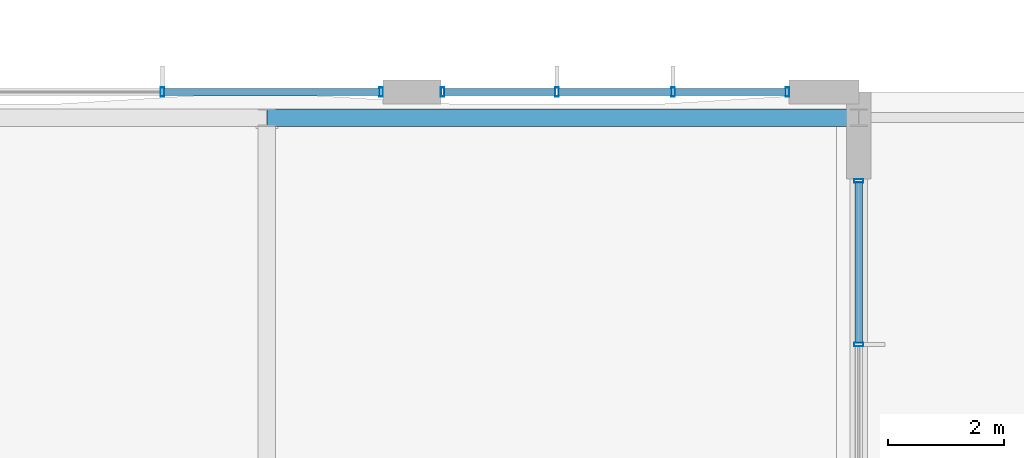
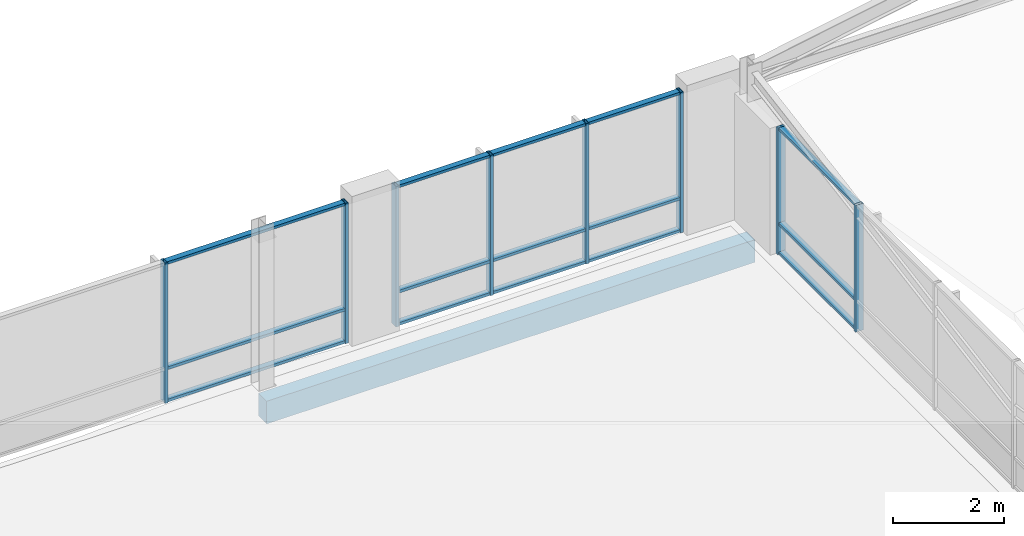
# One storey, part 98 of 189: 23 members, 1 beam, 3 elements without a shape of their own.
"""IFC4 building model written with IfcOpenShell, lengths in metres."""

from ifc_helpers import new_model, si_unit, direction, frame, origin, origin_2d, place, context, subcontext, project, spatial, rectangle, hollow_rectangle, extrude, material, material_profile, profile_set, type_object, element, aggregate, save


model = new_model("IFC4")

# Units and contexts
model_context = context("Model", 3, precision=1e-05, world=origin(), true_north=direction((0.0, 1.0)))
body_context = subcontext(model_context, "Body", "Model", "MODEL_VIEW")
ifc_project = project(units=[si_unit("LENGTHUNIT", "METRE"), si_unit("AREAUNIT", "SQUARE_METRE"), si_unit("VOLUMEUNIT", "CUBIC_METRE"), si_unit("PLANEANGLEUNIT", "RADIAN"), si_unit("MASSUNIT", "GRAM", prefix="KILO")], contexts=[model_context])

# Site, building, storey
site_placement = place(None, origin())
site = spatial("IfcSite", under=ifc_project, at=site_placement, CompositionType="ELEMENT")
building_placement = place(site_placement, origin())
building = spatial("IfcBuilding", under=site, at=building_placement, Name="Zavelmont Quarter", CompositionType="ELEMENT")
storey_placement = place(building_placement, frame((0.0, 0.0, 4.39990234375)))
storey = spatial("IfcBuildingStorey", under=building, at=storey_placement, Name="L01", CompositionType="ELEMENT", Elevation=4.39990234375)

# Beam
ifc_material_1 = material(Name="Concrete C35/45", Category="concrete")
ifc_material_profile_1 = material_profile(ifc_material_1, rectangle(XDim=0.300048828125, YDim=0.5, at=origin_2d()), Name="RC300X500")
ifc_profile_set_1 = profile_set([ifc_material_profile_1], Name="Concrete C35/45")
beam_type = type_object("IfcBeamType", Name="BM03", PredefinedType="BEAM", material=ifc_profile_set_1)
beam_placement = place(storey_placement, frame((65.800048828125, 115.56005859375, -0.52978515625), z_axis=(1.0, 0.0, 0.0), x_axis=(0.0, 1.0, 0.0)))
element("IfcBeam", 1, at=beam_placement, inside=storey, type_object=beam_type, Name="L01 beam BM03 10/S to 12/S", PredefinedType="BEAM", context=body_context, shape_type="SweptSolid", body=[
    extrude(rectangle(XDim=0.300048828125, YDim=0.5, at=origin_2d()), origin(), (0.0, 0.0, 1.0), 10.199951171875),
])

# Curtain wall, members
ifc_material_2 = material(Name="Thermally broken aluminium and double low-E safety glazing", Category="aluminium")
curtain_wall_type_1 = type_object("IfcCurtainWallType", Name="CW-1140X310", PredefinedType="NOTDEFINED", material=ifc_material_2)
curtain_wall_1_placement = place(storey_placement, origin())
curtain_wall_1 = element("IfcCurtainWall", 2, at=curtain_wall_1_placement, inside=storey, type_object=curtain_wall_type_1, Name="L01 unitised curtain wall CW-1140X310", PredefinedType="NOTDEFINED")
ifc_material_3 = material(Name="Powder-coated aluminium EN AW-6063-T6", Category="aluminium")
ifc_material_profile_2 = material_profile(ifc_material_3, hollow_rectangle(XDim=0.06005859375, YDim=0.159912109375, WallThickness=0.00390625, at=origin_2d()), Name="CWM60X160")
ifc_profile_set_2 = profile_set([ifc_material_profile_2], Name="Powder-coated aluminium EN AW-6063-T6")
member_type_1 = type_object("IfcMemberType", Name="CWM01", PredefinedType="MULLION", material=ifc_profile_set_2)
member_1_placement = place(storey_placement, frame((64.0, 116.0, 0.0), z_axis=(0.0, 0.0, 1.0), x_axis=(1.0, 0.0, 0.0)))
member_1 = element("IfcMember", 3, at=member_1_placement, type_object=member_type_1, Name="CW-1140X310 mullion 3", PredefinedType="MULLION", context=body_context, shape_type="SweptSolid", body=[
    extrude(hollow_rectangle(XDim=0.06005859375, YDim=0.159912109375, WallThickness=0.00390625, at=origin_2d()), origin(), (0.0, 0.0, 1.0), 3.10009765625),
])
member_2_placement = place(storey_placement, frame((67.77001953125, 116.0, 0.0), z_axis=(0.0, 0.0, 1.0), x_axis=(1.0, 0.0, 0.0)))
member_2 = element("IfcMember", 4, at=member_2_placement, type_object=member_type_1, Name="CW-1140X310 mullion 4", PredefinedType="MULLION", context=body_context, shape_type="SweptSolid", body=[
    extrude(hollow_rectangle(XDim=0.06005859375, YDim=0.159912109375, WallThickness=0.00390625, at=origin_2d()), origin(), (0.0, 0.0, 1.0), 3.10009765625),
])

curtain_wall_type_2 = type_object("IfcCurtainWallType", Name="CW-600X310", PredefinedType="NOTDEFINED", material=ifc_material_2)
curtain_wall_2_placement = place(storey_placement, origin())
curtain_wall_2 = element("IfcCurtainWall", 5, at=curtain_wall_2_placement, inside=storey, type_object=curtain_wall_type_2, Name="L01 unitised curtain wall CW-600X310", PredefinedType="NOTDEFINED")
member_3_placement = place(storey_placement, frame((68.830078125, 116.0, 0.0), z_axis=(0.0, 0.0, 1.0), x_axis=(1.0, 0.0, 0.0)))
member_3 = element("IfcMember", 6, at=member_3_placement, type_object=member_type_1, Name="CW-600X310 mullion 1", PredefinedType="MULLION", context=body_context, shape_type="SweptSolid", body=[
    extrude(hollow_rectangle(XDim=0.06005859375, YDim=0.159912109375, WallThickness=0.00390625, at=origin_2d()), origin(), (0.0, 0.0, 1.0), 3.10009765625),
])
member_4_placement = place(storey_placement, frame((70.800048828125, 116.0, 0.0), z_axis=(0.0, 0.0, 1.0), x_axis=(1.0, 0.0, 0.0)))
member_4 = element("IfcMember", 7, at=member_4_placement, type_object=member_type_1, Name="CW-600X310 mullion 2", PredefinedType="MULLION", context=body_context, shape_type="SweptSolid", body=[
    extrude(hollow_rectangle(XDim=0.06005859375, YDim=0.159912109375, WallThickness=0.00390625, at=origin_2d()), origin(), (0.0, 0.0, 1.0), 3.10009765625),
])
member_5_placement = place(storey_placement, frame((72.800048828125, 116.0, 0.0), z_axis=(0.0, 0.0, 1.0), x_axis=(1.0, 0.0, 0.0)))
member_5 = element("IfcMember", 8, at=member_5_placement, type_object=member_type_1, Name="CW-600X310 mullion 3", PredefinedType="MULLION", context=body_context, shape_type="SweptSolid", body=[
    extrude(hollow_rectangle(XDim=0.06005859375, YDim=0.159912109375, WallThickness=0.00390625, at=origin_2d()), origin(), (0.0, 0.0, 1.0), 3.10009765625),
])
member_6_placement = place(storey_placement, frame((74.77001953125, 116.0, 0.0), z_axis=(0.0, 0.0, 1.0), x_axis=(1.0, 0.0, 0.0)))
member_6 = element("IfcMember", 9, at=member_6_placement, type_object=member_type_1, Name="CW-600X310 mullion 4", PredefinedType="MULLION", context=body_context, shape_type="SweptSolid", body=[
    extrude(hollow_rectangle(XDim=0.06005859375, YDim=0.159912109375, WallThickness=0.00390625, at=origin_2d()), origin(), (0.0, 0.0, 1.0), 3.10009765625),
])

curtain_wall_type_3 = type_object("IfcCurtainWallType", Name="CW-1140X280", PredefinedType="NOTDEFINED", material=ifc_material_2)
curtain_wall_3_placement = place(storey_placement, origin())
curtain_wall_3 = element("IfcCurtainWall", 10, at=curtain_wall_3_placement, inside=storey, type_object=curtain_wall_type_3, Name="L01 unitised curtain wall CW-1140X280", PredefinedType="NOTDEFINED")
member_7_placement = place(storey_placement, frame((76.0, 111.64990234375, 0.0), z_axis=(0.0, 0.0, 1.0), x_axis=(0.0, 1.0, 0.0)))
member_7 = element("IfcMember", 11, at=member_7_placement, type_object=member_type_1, Name="CW-1140X280 mullion 4", PredefinedType="MULLION", context=body_context, shape_type="SweptSolid", body=[
    extrude(hollow_rectangle(XDim=0.06005859375, YDim=0.159912109375, WallThickness=0.00390625, at=origin_2d()), origin(), (0.0, 0.0, 1.0), 2.800048828125),
])
member_8_placement = place(storey_placement, frame((76.0, 114.469970703125, 0.0), z_axis=(0.0, 0.0, 1.0), x_axis=(0.0, 1.0, 0.0)))
member_8 = element("IfcMember", 12, at=member_8_placement, type_object=member_type_1, Name="CW-1140X280 mullion 5", PredefinedType="MULLION", context=body_context, shape_type="SweptSolid", body=[
    extrude(hollow_rectangle(XDim=0.06005859375, YDim=0.159912109375, WallThickness=0.00390625, at=origin_2d()), origin(), (0.0, 0.0, 1.0), 2.800048828125),
])

# Member
ifc_material_profile_3 = material_profile(ifc_material_3, hollow_rectangle(XDim=0.1201171875, YDim=0.06005859375, WallThickness=0.00390625, at=origin_2d()), Name="CWT60X120")
ifc_profile_set_3 = profile_set([ifc_material_profile_3], Name="Powder-coated aluminium EN AW-6063-T6")
member_type_2 = type_object("IfcMemberType", Name="CWT01", PredefinedType="NOTDEFINED", material=ifc_profile_set_3)
member_9_placement = place(storey_placement, frame((64.030029296875, 116.0, 0.030029296875), z_axis=(1.0, 0.0, 0.0), x_axis=(0.0, 1.0, 0.0)))
member_9 = element("IfcMember", 13, at=member_9_placement, type_object=member_type_2, Name="CW-1140X310 transom 3.1", ObjectType="TRANSOM", PredefinedType="USERDEFINED", context=body_context, shape_type="SweptSolid", body=[
    extrude(hollow_rectangle(XDim=0.1201171875, YDim=0.06005859375, WallThickness=0.00390625, at=origin_2d()), origin(), (0.0, 0.0, 1.0), 3.7099609375),
])

member_10_placement = place(storey_placement, frame((64.030029296875, 116.0, 0.744140625), z_axis=(1.0, 0.0, 0.0), x_axis=(0.0, 1.0, 0.0)))
member_10 = element("IfcMember", 14, at=member_10_placement, type_object=member_type_2, Name="CW-1140X310 transom 3.2", ObjectType="TRANSOM", PredefinedType="USERDEFINED", context=body_context, shape_type="SweptSolid", body=[
    extrude(hollow_rectangle(XDim=0.1201171875, YDim=0.06005859375, WallThickness=0.00390625, at=origin_2d()), origin(), (0.0, 0.0, 1.0), 3.7099609375),
])

member_11_placement = place(storey_placement, frame((64.030029296875, 116.0, 3.070068359375), z_axis=(1.0, 0.0, 0.0), x_axis=(0.0, 1.0, 0.0)))
member_11 = element("IfcMember", 15, at=member_11_placement, type_object=member_type_2, Name="CW-1140X310 transom 3.3", ObjectType="TRANSOM", PredefinedType="USERDEFINED", context=body_context, shape_type="SweptSolid", body=[
    extrude(hollow_rectangle(XDim=0.1201171875, YDim=0.06005859375, WallThickness=0.00390625, at=origin_2d()), origin(), (0.0, 0.0, 1.0), 3.7099609375),
])

aggregate(curtain_wall_1, [member_1, member_2, member_9, member_10, member_11])

member_12_placement = place(storey_placement, frame((68.860107421875, 116.0, 0.030029296875), z_axis=(1.0, 0.0, 0.0), x_axis=(0.0, 1.0, 0.0)))
member_12 = element("IfcMember", 16, at=member_12_placement, type_object=member_type_2, Name="CW-600X310 transom 1.1", ObjectType="TRANSOM", PredefinedType="USERDEFINED", context=body_context, shape_type="SweptSolid", body=[
    extrude(hollow_rectangle(XDim=0.1201171875, YDim=0.06005859375, WallThickness=0.00390625, at=origin_2d()), origin(), (0.0, 0.0, 1.0), 1.909912109375),
])

member_13_placement = place(storey_placement, frame((68.860107421875, 116.0, 0.744140625), z_axis=(1.0, 0.0, 0.0), x_axis=(0.0, 1.0, 0.0)))
member_13 = element("IfcMember", 17, at=member_13_placement, type_object=member_type_2, Name="CW-600X310 transom 1.2", ObjectType="TRANSOM", PredefinedType="USERDEFINED", context=body_context, shape_type="SweptSolid", body=[
    extrude(hollow_rectangle(XDim=0.1201171875, YDim=0.06005859375, WallThickness=0.00390625, at=origin_2d()), origin(), (0.0, 0.0, 1.0), 1.909912109375),
])

member_14_placement = place(storey_placement, frame((68.860107421875, 116.0, 3.070068359375), z_axis=(1.0, 0.0, 0.0), x_axis=(0.0, 1.0, 0.0)))
member_14 = element("IfcMember", 18, at=member_14_placement, type_object=member_type_2, Name="CW-600X310 transom 1.3", ObjectType="TRANSOM", PredefinedType="USERDEFINED", context=body_context, shape_type="SweptSolid", body=[
    extrude(hollow_rectangle(XDim=0.1201171875, YDim=0.06005859375, WallThickness=0.00390625, at=origin_2d()), origin(), (0.0, 0.0, 1.0), 1.909912109375),
])

member_15_placement = place(storey_placement, frame((70.830078125, 116.0, 0.030029296875), z_axis=(1.0, 0.0, 0.0), x_axis=(0.0, 1.0, 0.0)))
member_15 = element("IfcMember", 19, at=member_15_placement, type_object=member_type_2, Name="CW-600X310 transom 2.1", ObjectType="TRANSOM", PredefinedType="USERDEFINED", context=body_context, shape_type="SweptSolid", body=[
    extrude(hollow_rectangle(XDim=0.1201171875, YDim=0.06005859375, WallThickness=0.00390625, at=origin_2d()), origin(), (0.0, 0.0, 1.0), 1.93994140625),
])

member_16_placement = place(storey_placement, frame((70.830078125, 116.0, 0.744140625), z_axis=(1.0, 0.0, 0.0), x_axis=(0.0, 1.0, 0.0)))
member_16 = element("IfcMember", 20, at=member_16_placement, type_object=member_type_2, Name="CW-600X310 transom 2.2", ObjectType="TRANSOM", PredefinedType="USERDEFINED", context=body_context, shape_type="SweptSolid", body=[
    extrude(hollow_rectangle(XDim=0.1201171875, YDim=0.06005859375, WallThickness=0.00390625, at=origin_2d()), origin(), (0.0, 0.0, 1.0), 1.93994140625),
])

member_17_placement = place(storey_placement, frame((70.830078125, 116.0, 3.070068359375), z_axis=(1.0, 0.0, 0.0), x_axis=(0.0, 1.0, 0.0)))
member_17 = element("IfcMember", 21, at=member_17_placement, type_object=member_type_2, Name="CW-600X310 transom 2.3", ObjectType="TRANSOM", PredefinedType="USERDEFINED", context=body_context, shape_type="SweptSolid", body=[
    extrude(hollow_rectangle(XDim=0.1201171875, YDim=0.06005859375, WallThickness=0.00390625, at=origin_2d()), origin(), (0.0, 0.0, 1.0), 1.93994140625),
])

member_18_placement = place(storey_placement, frame((72.830078125, 116.0, 0.030029296875), z_axis=(1.0, 0.0, 0.0), x_axis=(0.0, 1.0, 0.0)))
member_18 = element("IfcMember", 22, at=member_18_placement, type_object=member_type_2, Name="CW-600X310 transom 3.1", ObjectType="TRANSOM", PredefinedType="USERDEFINED", context=body_context, shape_type="SweptSolid", body=[
    extrude(hollow_rectangle(XDim=0.1201171875, YDim=0.06005859375, WallThickness=0.00390625, at=origin_2d()), origin(), (0.0, 0.0, 1.0), 1.909912109375),
])

member_19_placement = place(storey_placement, frame((72.830078125, 116.0, 0.744140625), z_axis=(1.0, 0.0, 0.0), x_axis=(0.0, 1.0, 0.0)))
member_19 = element("IfcMember", 23, at=member_19_placement, type_object=member_type_2, Name="CW-600X310 transom 3.2", ObjectType="TRANSOM", PredefinedType="USERDEFINED", context=body_context, shape_type="SweptSolid", body=[
    extrude(hollow_rectangle(XDim=0.1201171875, YDim=0.06005859375, WallThickness=0.00390625, at=origin_2d()), origin(), (0.0, 0.0, 1.0), 1.909912109375),
])

member_20_placement = place(storey_placement, frame((72.830078125, 116.0, 3.070068359375), z_axis=(1.0, 0.0, 0.0), x_axis=(0.0, 1.0, 0.0)))
member_20 = element("IfcMember", 24, at=member_20_placement, type_object=member_type_2, Name="CW-600X310 transom 3.3", ObjectType="TRANSOM", PredefinedType="USERDEFINED", context=body_context, shape_type="SweptSolid", body=[
    extrude(hollow_rectangle(XDim=0.1201171875, YDim=0.06005859375, WallThickness=0.00390625, at=origin_2d()), origin(), (0.0, 0.0, 1.0), 1.909912109375),
])

aggregate(curtain_wall_2, [member_3, member_4, member_5, member_6, member_12, member_13, member_14, member_15, member_16, member_17, member_18, member_19, member_20])

member_21_placement = place(storey_placement, frame((76.0, 111.679931640625, 0.030029296875), z_axis=(0.0, 1.0, 0.0), x_axis=(-1.0, 0.0, 0.0)))
member_21 = element("IfcMember", 25, at=member_21_placement, type_object=member_type_2, Name="CW-1140X280 transom 4.1", ObjectType="TRANSOM", PredefinedType="USERDEFINED", context=body_context, shape_type="SweptSolid", body=[
    extrude(hollow_rectangle(XDim=0.1201171875, YDim=0.06005859375, WallThickness=0.00390625, at=origin_2d()), origin(), (0.0, 0.0, 1.0), 2.760009765625),
])

member_22_placement = place(storey_placement, frame((76.0, 111.679931640625, 0.672119140625), z_axis=(0.0, 1.0, 0.0), x_axis=(-1.0, 0.0, 0.0)))
member_22 = element("IfcMember", 26, at=member_22_placement, type_object=member_type_2, Name="CW-1140X280 transom 4.2", ObjectType="TRANSOM", PredefinedType="USERDEFINED", context=body_context, shape_type="SweptSolid", body=[
    extrude(hollow_rectangle(XDim=0.1201171875, YDim=0.06005859375, WallThickness=0.00390625, at=origin_2d()), origin(), (0.0, 0.0, 1.0), 2.760009765625),
])

member_23_placement = place(storey_placement, frame((76.0, 111.679931640625, 2.77001953125), z_axis=(0.0, 1.0, 0.0), x_axis=(-1.0, 0.0, 0.0)))
member_23 = element("IfcMember", 27, at=member_23_placement, type_object=member_type_2, Name="CW-1140X280 transom 4.3", ObjectType="TRANSOM", PredefinedType="USERDEFINED", context=body_context, shape_type="SweptSolid", body=[
    extrude(hollow_rectangle(XDim=0.1201171875, YDim=0.06005859375, WallThickness=0.00390625, at=origin_2d()), origin(), (0.0, 0.0, 1.0), 2.760009765625),
])

aggregate(curtain_wall_3, [member_7, member_8, member_21, member_22, member_23])

save(model, "model.ifc")
